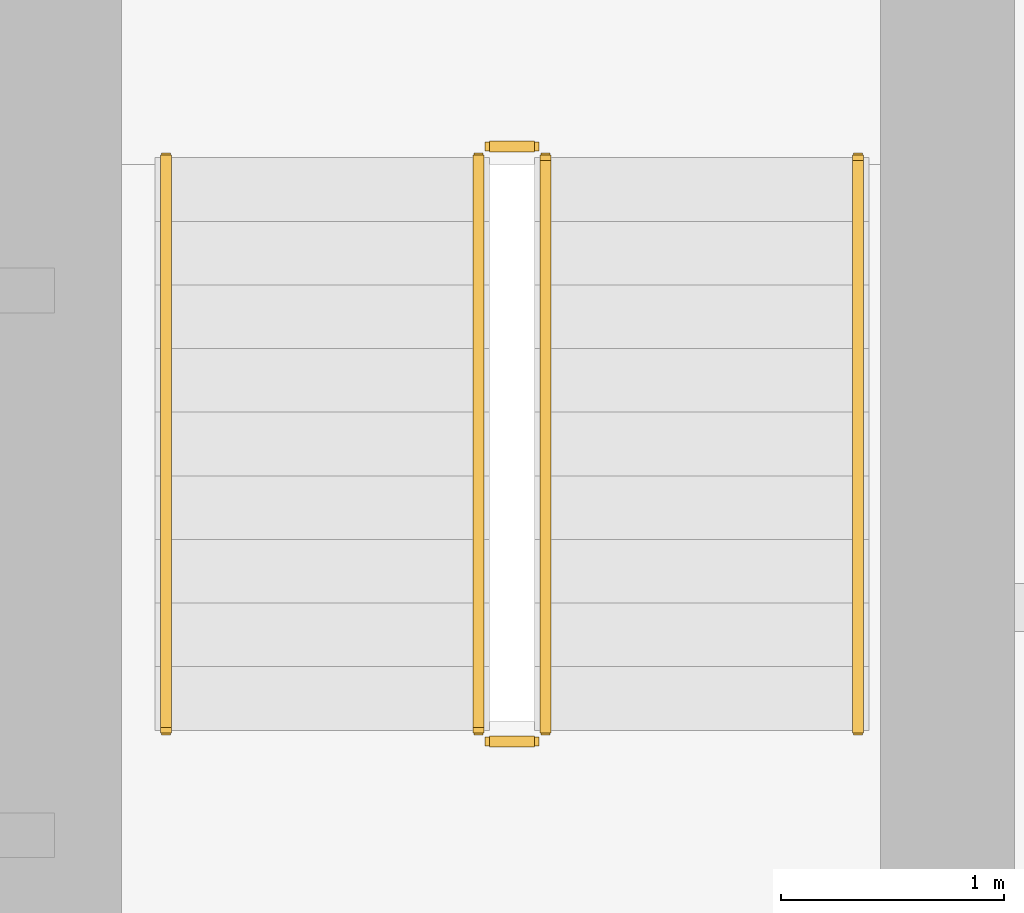
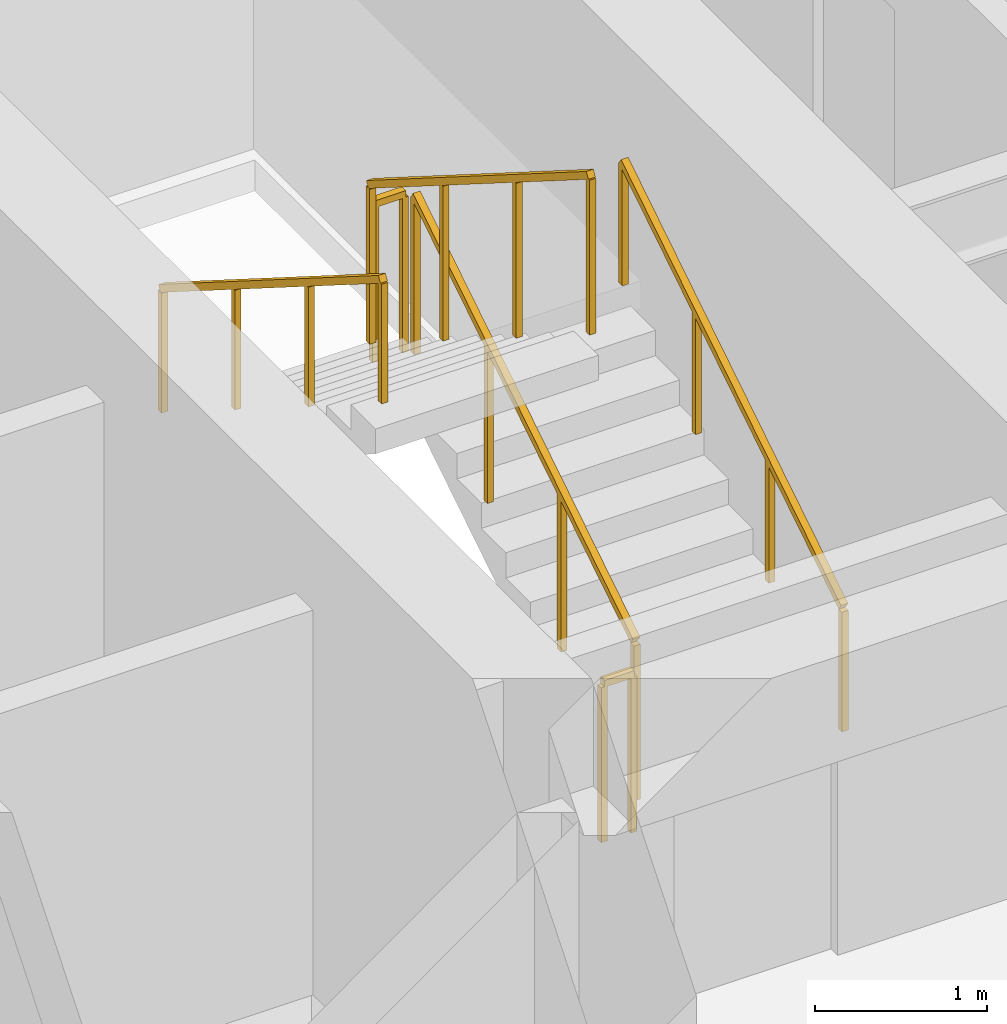
# One storey, part 26 of 26: 6 railings.
"""IFC4 building model written with IfcOpenShell, lengths in metres."""

from ifc_helpers import new_model, si_unit, direction, frame, origin, origin_2d, place, context, subcontext, project, spatial, rectangle, extrude, material, type_object, element, save


model = new_model("IFC4")

# Units and contexts
model_context = context("Model", 3, precision=1e-05, world=origin(), true_north=direction((0.0, 1.0)))
body_context = subcontext(model_context, "Body", "Model", "MODEL_VIEW")
ifc_project = project(units=[si_unit("LENGTHUNIT", "METRE"), si_unit("AREAUNIT", "SQUARE_METRE"), si_unit("VOLUMEUNIT", "CUBIC_METRE"), si_unit("PLANEANGLEUNIT", "RADIAN"), si_unit("MASSUNIT", "GRAM", prefix="KILO")], contexts=[model_context])

# Site, building, storey
site_placement = place(None, origin())
site = spatial("IfcSite", under=ifc_project, at=site_placement, CompositionType="ELEMENT")
building_placement = place(site_placement, origin())
building = spatial("IfcBuilding", under=site, at=building_placement, Name="Sarneth Arch Tower", CompositionType="ELEMENT")
storey_placement = place(building_placement, frame((0.0, 0.0, 53.39990234375)))
storey = spatial("IfcBuildingStorey", under=building, at=storey_placement, Name="L12", CompositionType="ELEMENT", Elevation=53.39990234375)

# Railings
ifc_material_1 = material(Name="Brushed Stainless Steel 304 tubular handrail", Category="steel")
railing_type_1 = type_object("IfcRailingType", Name="RAIL-HANDRAIL-900", PredefinedType="HANDRAIL", material=ifc_material_1)
railing_1_placement = place(storey_placement, frame((58.60009765625, 41.449951171875, 0.18017578125)))
element("IfcRailing", 1, at=railing_1_placement, inside=storey, type_object=railing_type_1, Name="L12 ST-2 stair handrail 1", PredefinedType="HANDRAIL", context=body_context, shape_type="SweptSolid", body=[
    extrude(rectangle(XDim=0.048095703125, YDim=0.048095703125, at=origin_2d()), frame((0.0, 0.0, 0.8759765625), z_axis=(0.0, 0.845502289212, 0.533971796014), x_axis=(-1.0, 0.0, 0.0)), (0.0, 0.0, 1.0), 3.03369140625),
    extrude(rectangle(XDim=0.0419921875, YDim=0.0419921875, at=origin_2d()), origin(), (0.0, 0.0, 1.0), 0.851806640625),
    extrude(rectangle(XDim=0.0419921875, YDim=0.0419921875, at=origin_2d()), frame((0.0, 0.85498046875, 0.5400390625)), (0.0, 0.0, 1.0), 0.851806640625),
    extrude(rectangle(XDim=0.0419921875, YDim=0.0419921875, at=origin_2d()), frame((0.0, 1.7099609375, 1.079833984375)), (0.0, 0.0, 1.0), 0.851806640625),
    extrude(rectangle(XDim=0.0419921875, YDim=0.0419921875, at=origin_2d()), frame((0.0, 2.56494140625, 1.619873046875)), (0.0, 0.0, 1.0), 0.851806640625),
])
railing_2_placement = place(storey_placement, frame((55.5, 44.014892578125, 1.97998046875)))
element("IfcRailing", 2, at=railing_2_placement, inside=storey, type_object=railing_type_1, Name="L12 ST-2 stair handrail 2", PredefinedType="HANDRAIL", context=body_context, shape_type="SweptSolid", body=[
    extrude(rectangle(XDim=0.048095703125, YDim=0.048095703125, at=origin_2d()), frame((0.0, 0.0, 0.8759765625), z_axis=(0.0, -0.845465955043, 0.534029323973), x_axis=(1.0, 0.0, 0.0)), (0.0, 0.0, 1.0), 3.03369140625),
    extrude(rectangle(XDim=0.0419921875, YDim=0.0419921875, at=origin_2d()), origin(), (0.0, 0.0, 1.0), 0.851806640625),
    extrude(rectangle(XDim=0.0419921875, YDim=0.0419921875, at=origin_2d()), frame((0.0, -0.85498046875, 0.5400390625)), (0.0, 0.0, 1.0), 0.851806640625),
    extrude(rectangle(XDim=0.0419921875, YDim=0.0419921875, at=origin_2d()), frame((0.0, -1.7099609375, 1.080078125)), (0.0, 0.0, 1.0), 0.851806640625),
    extrude(rectangle(XDim=0.0419921875, YDim=0.0419921875, at=origin_2d()), frame((0.0, -2.56494140625, 1.6201171875)), (0.0, 0.0, 1.0), 0.851806640625),
])
ifc_material_2 = material(Name="Painted Steel S275 stair well guard", Category="steel")
railing_type_2 = type_object("IfcRailingType", Name="RAIL-STAIR-GUARD", PredefinedType="GUARDRAIL", material=ifc_material_2)
railing_3_placement = place(storey_placement, frame((57.199951171875, 41.449951171875, 0.18017578125)))
element("IfcRailing", 3, at=railing_3_placement, inside=storey, type_object=railing_type_2, Name="L12 ST-2 stair guard 1", PredefinedType="GUARDRAIL", context=body_context, shape_type="SweptSolid", body=[
    extrude(rectangle(XDim=0.048095703125, YDim=0.048095703125, at=origin_2d()), frame((0.0, 0.0, 1.1259765625), z_axis=(0.0, 0.845502289212, 0.533971796014), x_axis=(-1.0, 0.0, 0.0)), (0.0, 0.0, 1.0), 3.03369140625),
    extrude(rectangle(XDim=0.0419921875, YDim=0.0419921875, at=origin_2d()), origin(), (0.0, 0.0, 1.0), 1.101806640625),
    extrude(rectangle(XDim=0.0419921875, YDim=0.0419921875, at=origin_2d()), frame((0.0, 0.85498046875, 0.5400390625)), (0.0, 0.0, 1.0), 1.101806640625),
    extrude(rectangle(XDim=0.0419921875, YDim=0.0419921875, at=origin_2d()), frame((0.0, 1.7099609375, 1.079833984375)), (0.0, 0.0, 1.0), 1.101806640625),
    extrude(rectangle(XDim=0.0419921875, YDim=0.0419921875, at=origin_2d()), frame((0.0, 2.56494140625, 1.619873046875)), (0.0, 0.0, 1.0), 1.101806640625),
])
railing_4_placement = place(storey_placement, frame((57.14990234375, 44.06494140625, 1.800048828125)))
element("IfcRailing", 4, at=railing_4_placement, inside=storey, type_object=railing_type_2, Name="L12 ST-2 stair guard 2", PredefinedType="GUARDRAIL", context=body_context, shape_type="SweptSolid", body=[
    extrude(rectangle(XDim=0.048095703125, YDim=0.048095703125, at=origin_2d()), frame((0.0, 0.0, 1.1259765625), z_axis=(-1.0, 0.0, 0.0), x_axis=(0.0, -1.0, 0.0)), (0.0, 0.0, 1.0), 0.199951171875),
    extrude(rectangle(XDim=0.0419921875, YDim=0.0419921875, at=origin_2d()), origin(), (0.0, 0.0, 1.0), 1.101806640625),
    extrude(rectangle(XDim=0.0419921875, YDim=0.0419921875, at=origin_2d()), frame((-0.199951171875, 0.0, 0.0)), (0.0, 0.0, 1.0), 1.101806640625),
])
railing_5_placement = place(storey_placement, frame((56.89990234375, 44.014892578125, 1.97998046875)))
element("IfcRailing", 5, at=railing_5_placement, inside=storey, type_object=railing_type_2, Name="L12 ST-2 stair guard 3", PredefinedType="GUARDRAIL", context=body_context, shape_type="SweptSolid", body=[
    extrude(rectangle(XDim=0.048095703125, YDim=0.048095703125, at=origin_2d()), frame((0.0, 0.0, 1.1259765625), z_axis=(0.0, -0.845465955043, 0.534029323973), x_axis=(1.0, 0.0, 0.0)), (0.0, 0.0, 1.0), 3.03369140625),
    extrude(rectangle(XDim=0.0419921875, YDim=0.0419921875, at=origin_2d()), origin(), (0.0, 0.0, 1.0), 1.101806640625),
    extrude(rectangle(XDim=0.0419921875, YDim=0.0419921875, at=origin_2d()), frame((0.0, -0.85498046875, 0.5400390625)), (0.0, 0.0, 1.0), 1.101806640625),
    extrude(rectangle(XDim=0.0419921875, YDim=0.0419921875, at=origin_2d()), frame((0.0, -1.7099609375, 1.080078125)), (0.0, 0.0, 1.0), 1.101806640625),
    extrude(rectangle(XDim=0.0419921875, YDim=0.0419921875, at=origin_2d()), frame((0.0, -2.56494140625, 1.6201171875)), (0.0, 0.0, 1.0), 1.101806640625),
])
railing_6_placement = place(storey_placement, frame((57.14990234375, 41.39990234375, 0.0)))
element("IfcRailing", 6, at=railing_6_placement, inside=storey, type_object=railing_type_2, Name="L12 ST-2 stair guard 4", PredefinedType="GUARDRAIL", context=body_context, shape_type="SweptSolid", body=[
    extrude(rectangle(XDim=0.048095703125, YDim=0.048095703125, at=origin_2d()), frame((0.0, 0.0, 1.1259765625), z_axis=(-1.0, 0.0, 0.0), x_axis=(0.0, -1.0, 0.0)), (0.0, 0.0, 1.0), 0.199951171875),
    extrude(rectangle(XDim=0.0419921875, YDim=0.0419921875, at=origin_2d()), origin(), (0.0, 0.0, 1.0), 1.101806640625),
    extrude(rectangle(XDim=0.0419921875, YDim=0.0419921875, at=origin_2d()), frame((-0.199951171875, 0.0, 0.0)), (0.0, 0.0, 1.0), 1.101806640625),
])

save(model, "model.ifc")
